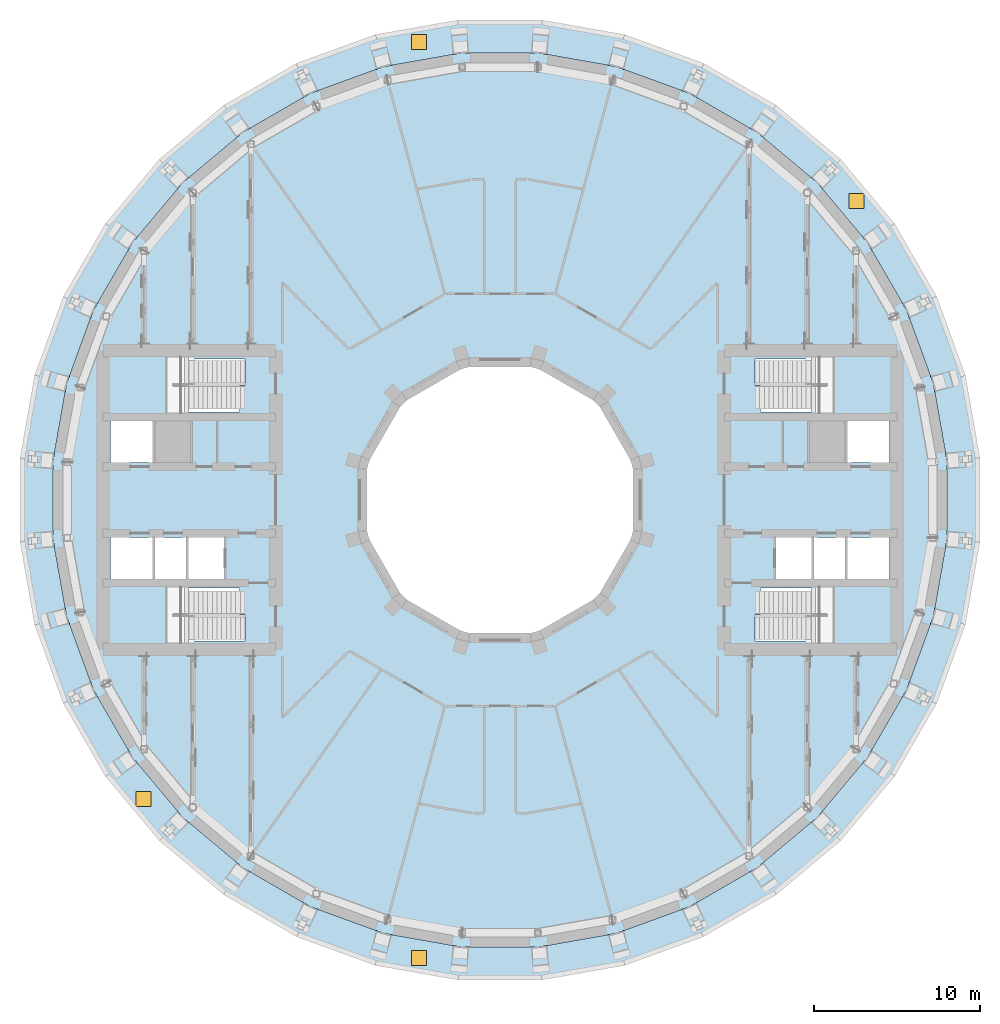
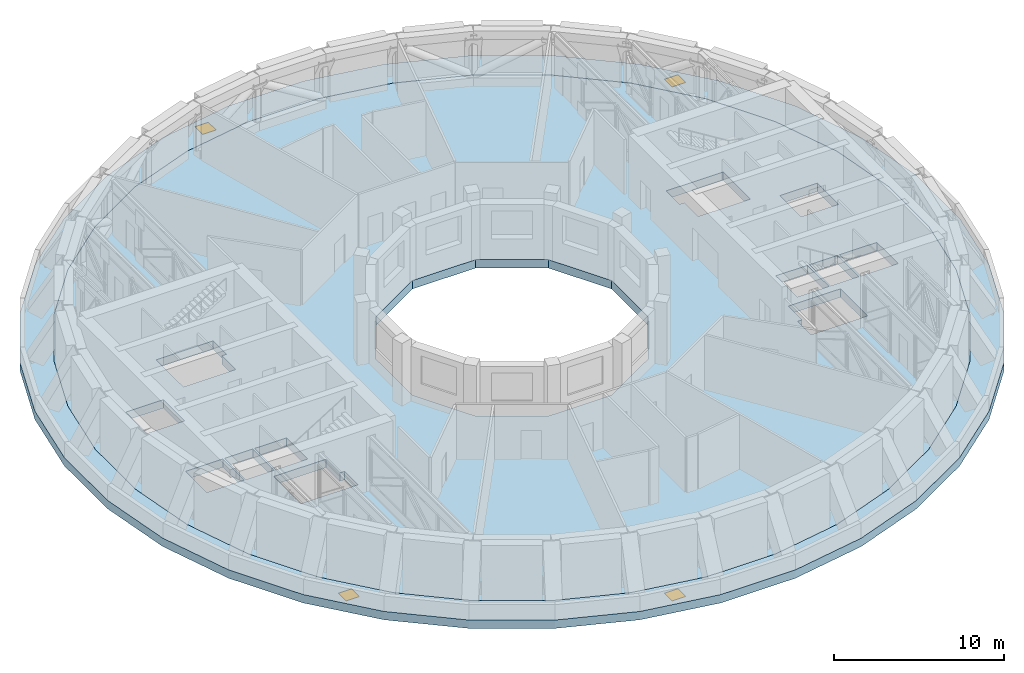
# One storey, part 7 of 19: 2 doors, 2 slabs, 2 windows, 4 openings.
"""IFC4 building model written with IfcOpenShell, lengths in metres."""

from ifc_helpers import new_model, si_unit, direction, frame, origin, origin_2d, place, context, subcontext, project, spatial, polyline, rectangle, outline, extrude, material, layer, layer_set, type_object, element, fill, save


model = new_model("IFC4")

# Units and contexts
model_context = context("Model", 3, precision=1e-05, world=origin(), true_north=direction((0.0, 1.0)))
body_context = subcontext(model_context, "Body", "Model", "MODEL_VIEW")
ifc_project = project(units=[si_unit("LENGTHUNIT", "METRE"), si_unit("AREAUNIT", "SQUARE_METRE"), si_unit("VOLUMEUNIT", "CUBIC_METRE"), si_unit("PLANEANGLEUNIT", "RADIAN"), si_unit("MASSUNIT", "GRAM", prefix="KILO")], contexts=[model_context])

# Site, building, storey
site_placement = place(None, origin())
site = spatial("IfcSite", under=ifc_project, at=site_placement, CompositionType="ELEMENT")
building_placement = place(site_placement, origin())
building = spatial("IfcBuilding", under=site, at=building_placement, Name="Saqina Gate Tower", CompositionType="ELEMENT")
storey_placement = place(building_placement, frame((0.0, 0.0, 82.39990234375)))
storey = spatial("IfcBuildingStorey", under=building, at=storey_placement, Name="L23", CompositionType="ELEMENT", Elevation=82.39990234375)

# Slab
ifc_material_1 = material(Name="Concrete C40/50", Category="concrete")
ifc_layer_1 = layer(ifc_material_1, 0.60009765625)
ifc_layer_set_1 = layer_set([ifc_layer_1], Name="Concrete C40/50")
slab_type_1 = type_object("IfcSlabType", Name="STR-POST-TENSIONED FLAT PLATE FLOOR-600", PredefinedType="FLOOR", material=ifc_layer_set_1)
slab_1_placement = place(storey_placement, frame((0.0, 0.0, -0.599853515625)))
element("IfcSlab", 1, at=slab_1_placement, inside=storey, type_object=slab_type_1, Name="L23-SLB01", PredefinedType="FLOOR", context=body_context, shape_type="SweptSolid", body=[
    extrude(outline(polyline([(26.080078125, -6.988037109375), (26.897216796875, -2.353271484375), (26.897216796875, 2.353271484375), (26.080078125, 6.988037109375), (24.47021484375, 11.41064453125), (22.1171875, 15.486572265625), (19.091796875, 19.091796875), (15.486572265625, 22.1171875), (11.41064453125, 24.47021484375), (6.988037109375, 26.080078125), (2.353271484375, 26.897216796875), (-2.353271484375, 26.897216796875), (-6.988037109375, 26.080078125), (-11.41064453125, 24.47021484375), (-15.486572265625, 22.1171875), (-19.091796875, 19.091796875), (-22.1171875, 15.486572265625), (-24.47021484375, 11.41064453125), (-26.080078125, 6.988037109375), (-26.897216796875, 2.353271484375), (-26.897216796875, -2.353271484375), (-26.080078125, -6.988037109375), (-24.47021484375, -11.41064453125), (-22.1171875, -15.486572265625), (-19.091796875, -19.091796875), (-15.486572265625, -22.1171875), (-11.41064453125, -24.47021484375), (-6.988037109375, -26.080078125), (-2.353271484375, -26.897216796875), (2.353271484375, -26.897216796875), (6.988037109375, -26.080078125), (11.41064453125, -24.47021484375), (15.486572265625, -22.1171875), (19.091796875, -19.091796875), (22.1171875, -15.486572265625), (24.47021484375, -11.41064453125), (26.080078125, -6.988037109375)]), holes=[polyline([(2.1435546875, 8.0), (5.8564453125, 5.8564453125), (8.0, 2.1435546875), (8.0, -2.1435546875), (5.8564453125, -5.8564453125), (2.1435546875, -8.0), (-2.1435546875, -8.0), (-5.8564453125, -5.8564453125), (-8.0, -2.1435546875), (-8.0, 2.1435546875), (-5.8564453125, 5.8564453125), (-2.1435546875, 8.0), (2.1435546875, 8.0)]), polyline([(-19.219970703125, -8.5), (-19.219970703125, -6.925048828125), (-19.219970703125, -5.300048828125), (-15.67529296875, -5.300048828125), (-15.67529296875, -6.925048828125), (-15.35498046875, -6.925048828125), (-15.35498046875, -8.5), (-19.219970703125, -8.5)]), polyline([(-20.89990234375, -2.25), (-20.89990234375, -4.75), (-23.43994140625, -4.75), (-23.43994140625, -2.25), (-20.89990234375, -2.25)]), polyline([(-18.8701171875, -2.25), (-18.8701171875, -4.75), (-20.780029296875, -4.75), (-20.780029296875, -2.25), (-18.8701171875, -2.25)]), polyline([(-16.590087890625, -2.25), (-16.590087890625, -4.75), (-18.75, -4.75), (-18.75, -2.25), (-16.590087890625, -2.25)]), polyline([(-20.89990234375, 4.75), (-20.89990234375, 2.25), (-23.43994140625, 2.25), (-23.43994140625, 4.75), (-20.89990234375, 4.75)]), polyline([(-19.219970703125, 6.925048828125), (-19.219970703125, 8.5), (-15.35498046875, 8.5), (-15.35498046875, 6.925048828125), (-15.67529296875, 6.925048828125), (-15.67529296875, 5.300048828125), (-19.219970703125, 5.300048828125), (-19.219970703125, 6.925048828125)]), polyline([(15.35498046875, -6.925048828125), (15.67529296875, -6.925048828125), (15.67529296875, -5.300048828125), (19.219970703125, -5.300048828125), (19.219970703125, -6.925048828125), (19.219970703125, -8.5), (15.35498046875, -8.5), (15.35498046875, -6.925048828125)]), polyline([(18.75, -2.25), (18.75, -4.75), (16.590087890625, -4.75), (16.590087890625, -2.25), (18.75, -2.25)]), polyline([(20.780029296875, -2.25), (20.780029296875, -4.75), (18.8701171875, -4.75), (18.8701171875, -2.25), (20.780029296875, -2.25)]), polyline([(23.43994140625, -2.25), (23.43994140625, -4.75), (20.89990234375, -4.75), (20.89990234375, -2.25), (23.43994140625, -2.25)]), polyline([(23.43994140625, 4.75), (23.43994140625, 2.25), (20.89990234375, 2.25), (20.89990234375, 4.75), (23.43994140625, 4.75)]), polyline([(15.67529296875, 6.925048828125), (15.35498046875, 6.925048828125), (15.35498046875, 8.5), (19.219970703125, 8.5), (19.219970703125, 6.925048828125), (19.219970703125, 5.300048828125), (15.67529296875, 5.300048828125), (15.67529296875, 6.925048828125)])]), origin(), (0.0, 0.0, 1.0), 0.599853515625),
])

# Slab, openings, windows, doors
ifc_material_2 = material(Name="Concrete C40/50", Category="concrete")
ifc_layer_2 = layer(ifc_material_2, 0.60009765625)
ifc_layer_set_2 = layer_set([ifc_layer_2], Name="Concrete C40/50")
slab_type_2 = type_object("IfcSlabType", Name="STR-SLAB ROOF-600", PredefinedType="ROOF", material=ifc_layer_set_2)
slab_2_placement = place(storey_placement, frame((0.0, 0.0, -0.599853515625)))
slab_2 = element("IfcSlab", 2, at=slab_2_placement, inside=storey, type_object=slab_type_2, Name="L23-RFS01", PredefinedType="ROOF", context=body_context, shape_type="SweptSolid", body=[
    extrude(outline(polyline([(28.8896484375, 2.527587890625), (28.011962890625, 7.505859375), (26.282958984375, 12.255859375), (23.75537109375, 16.6337890625), (20.506103515625, 20.506103515625), (16.6337890625, 23.75537109375), (12.255859375, 26.282958984375), (7.505859375, 28.011962890625), (2.527587890625, 28.8896484375), (-2.527587890625, 28.8896484375), (-7.505859375, 28.011962890625), (-12.255859375, 26.282958984375), (-16.6337890625, 23.75537109375), (-20.506103515625, 20.506103515625), (-23.75537109375, 16.6337890625), (-26.282958984375, 12.255859375), (-28.011962890625, 7.505859375), (-28.8896484375, 2.527587890625), (-28.8896484375, -2.527587890625), (-28.011962890625, -7.505859375), (-26.282958984375, -12.255859375), (-23.75537109375, -16.6337890625), (-20.506103515625, -20.506103515625), (-16.6337890625, -23.75537109375), (-12.255859375, -26.282958984375), (-7.505859375, -28.011962890625), (-2.527587890625, -28.8896484375), (2.527587890625, -28.8896484375), (7.505859375, -28.011962890625), (12.255859375, -26.282958984375), (16.6337890625, -23.75537109375), (20.506103515625, -20.506103515625), (23.75537109375, -16.6337890625), (26.282958984375, -12.255859375), (28.011962890625, -7.505859375), (28.8896484375, -2.527587890625), (28.8896484375, 2.527587890625)]), holes=[polyline([(26.897216796875, 2.353271484375), (26.897216796875, -2.353271484375), (26.080078125, -6.988037109375), (24.47021484375, -11.41064453125), (22.1171875, -15.486572265625), (19.091796875, -19.091796875), (15.486572265625, -22.1171875), (11.41064453125, -24.47021484375), (6.988037109375, -26.080078125), (2.353271484375, -26.897216796875), (-2.353271484375, -26.897216796875), (-6.988037109375, -26.080078125), (-11.41064453125, -24.47021484375), (-15.486572265625, -22.1171875), (-19.091796875, -19.091796875), (-22.1171875, -15.486572265625), (-24.47021484375, -11.41064453125), (-26.080078125, -6.988037109375), (-26.897216796875, -2.353271484375), (-26.897216796875, 2.353271484375), (-26.080078125, 6.988037109375), (-24.47021484375, 11.41064453125), (-22.1171875, 15.486572265625), (-19.091796875, 19.091796875), (-15.486572265625, 22.1171875), (-11.41064453125, 24.47021484375), (-6.988037109375, 26.080078125), (-2.353271484375, 26.897216796875), (2.353271484375, 26.897216796875), (6.988037109375, 26.080078125), (11.41064453125, 24.47021484375), (15.486572265625, 22.1171875), (19.091796875, 19.091796875), (22.1171875, 15.486572265625), (24.47021484375, 11.41064453125), (26.080078125, 6.988037109375), (26.897216796875, 2.353271484375)])]), origin(), (0.0, 0.0, 1.0), 0.599853515625),
])
opening_1_placement = place(slab_2_placement, frame((-4.862060546875, 27.57470703125, 0.0)))
opening_1 = element("IfcOpeningElement", 3, at=opening_1_placement, cuts=slab_2, Name="Opening L23-W13", PredefinedType="OPENING", context=body_context, shape_type="SweptSolid", body=[
    extrude(rectangle(XDim=0.89990234375, YDim=0.89990234375, at=origin_2d()), frame((0.0, 0.0, -0.011962890625)), (0.0, 0.0, 1.0), 0.623779296875),
])
opening_2_placement = place(slab_2_placement, frame((-4.862060546875, -27.57470703125, 0.0)))
opening_2 = element("IfcOpeningElement", 4, at=opening_2_placement, cuts=slab_2, Name="Opening L23-W14", PredefinedType="OPENING", context=body_context, shape_type="SweptSolid", body=[
    extrude(rectangle(XDim=0.89990234375, YDim=0.89990234375, at=origin_2d()), frame((0.0, 0.0, -0.011962890625)), (0.0, 0.0, 1.0), 0.623779296875),
])
opening_3_placement = place(slab_2_placement, frame((21.44921875, 17.998046875, 0.0)))
opening_3 = element("IfcOpeningElement", 5, at=opening_3_placement, cuts=slab_2, Name="Opening L23-D82", PredefinedType="OPENING", context=body_context, shape_type="SweptSolid", body=[
    extrude(rectangle(XDim=0.89990234375, YDim=0.89990234375, at=origin_2d()), frame((0.0, 0.0, -0.011962890625)), (0.0, 0.0, 1.0), 0.623779296875),
])
opening_4_placement = place(slab_2_placement, frame((-21.44921875, -17.998046875, 0.0)))
opening_4 = element("IfcOpeningElement", 6, at=opening_4_placement, cuts=slab_2, Name="Opening L23-D83", PredefinedType="OPENING", context=body_context, shape_type="SweptSolid", body=[
    extrude(rectangle(XDim=0.89990234375, YDim=0.89990234375, at=origin_2d()), frame((0.0, 0.0, -0.011962890625)), (0.0, 0.0, 1.0), 0.623779296875),
])
ifc_material_3 = material(Name="Aluminium glazing", Category="aluminium")
window_type = type_object("IfcWindowType", Name="RH-HATCH", PartitioningType="SINGLE_PANEL", PredefinedType="SKYLIGHT", material=ifc_material_3)
window_1_placement = place(opening_1_placement, frame((0.0, 0.0, 0.5498046875)))
window_1 = element("IfcWindow", 7, at=window_1_placement, inside=storey, type_object=window_type, Name="Rooflight L23 1", OverallHeight=0.89990234375, OverallWidth=0.89990234375, PartitioningType="SINGLE_PANEL", PredefinedType="SKYLIGHT", context=body_context, shape_type="SweptSolid", body=[
    extrude(rectangle(XDim=0.89990234375, YDim=0.89990234375, at=origin_2d()), origin(), (0.0, 0.0, 1.0), 0.050048828125),
])
fill(opening_1, window_1)
window_2_placement = place(opening_2_placement, frame((0.0, 0.0, 0.5498046875)))
window_2 = element("IfcWindow", 8, at=window_2_placement, inside=storey, type_object=window_type, Name="Rooflight L23 2", OverallHeight=0.89990234375, OverallWidth=0.89990234375, PartitioningType="SINGLE_PANEL", PredefinedType="SKYLIGHT", context=body_context, shape_type="SweptSolid", body=[
    extrude(rectangle(XDim=0.89990234375, YDim=0.89990234375, at=origin_2d()), origin(), (0.0, 0.0, 1.0), 0.050048828125),
])
fill(opening_2, window_2)
ifc_material_4 = material(Name="Galvanised steel", Category="steel")
door_type = type_object("IfcDoorType", Name="RH-TRAP", OperationType="SINGLE_SWING_LEFT", PredefinedType="TRAPDOOR", material=ifc_material_4)
door_1_placement = place(opening_3_placement, frame((0.0, 0.0, 0.5498046875)))
door_1 = element("IfcDoor", 9, at=door_1_placement, inside=storey, type_object=door_type, Name="Roof access hatch L23 1", OperationType="SINGLE_SWING_LEFT", OverallHeight=0.89990234375, OverallWidth=0.89990234375, PredefinedType="TRAPDOOR", context=body_context, shape_type="SweptSolid", body=[
    extrude(rectangle(XDim=0.89990234375, YDim=0.89990234375, at=origin_2d()), origin(), (0.0, 0.0, 1.0), 0.050048828125),
])
fill(opening_3, door_1)
door_2_placement = place(opening_4_placement, frame((0.0, 0.0, 0.5498046875)))
door_2 = element("IfcDoor", 10, at=door_2_placement, inside=storey, type_object=door_type, Name="Roof access hatch L23 2", OperationType="SINGLE_SWING_LEFT", OverallHeight=0.89990234375, OverallWidth=0.89990234375, PredefinedType="TRAPDOOR", context=body_context, shape_type="SweptSolid", body=[
    extrude(rectangle(XDim=0.89990234375, YDim=0.89990234375, at=origin_2d()), origin(), (0.0, 0.0, 1.0), 0.050048828125),
])
fill(opening_4, door_2)

save(model, "model.ifc")
